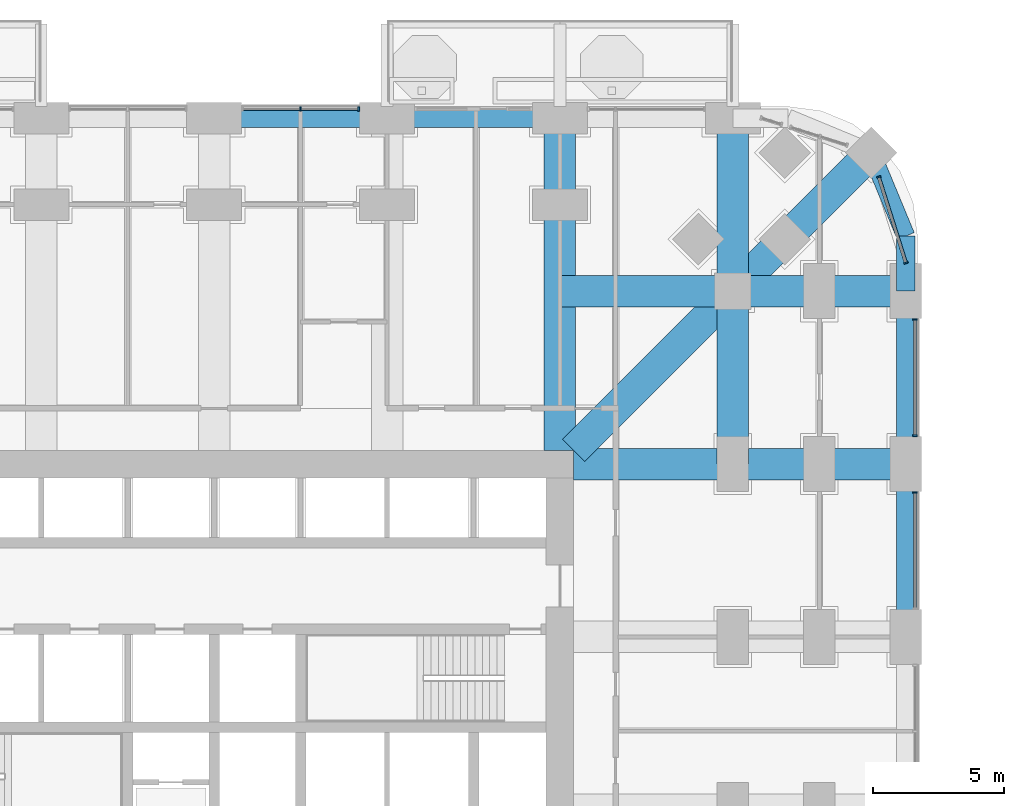
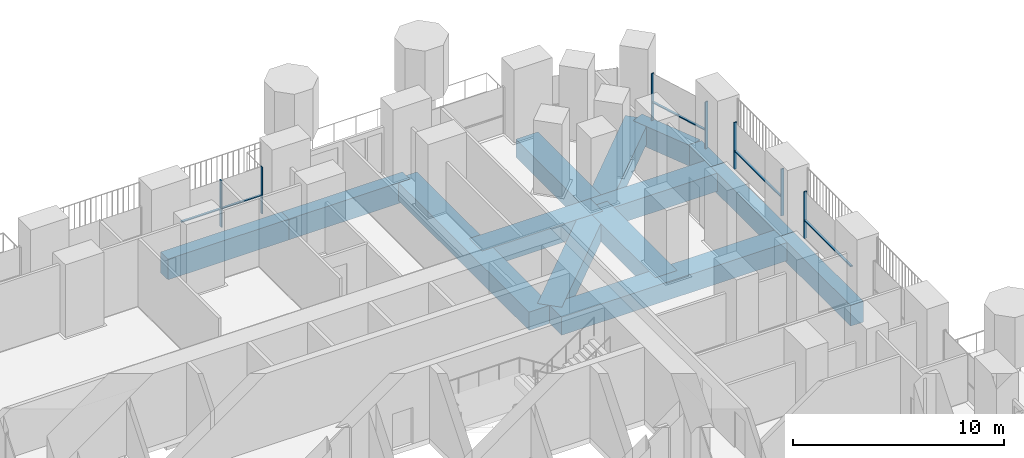
# One storey, part 9 of 27: 14 beams, 12 members, 4 elements without a shape of their own.
"""IFC4 building model written with IfcOpenShell, lengths in metres."""

from ifc_helpers import new_model, si_unit, direction, frame, origin, origin_2d, place, context, subcontext, project, spatial, rectangle, extrude, material, material_profile, profile_set, type_object, element, aggregate, save


model = new_model("IFC4")

# Units and contexts
model_context = context("Model", 3, precision=1e-05, world=origin(), true_north=direction((0.0, 1.0)))
body_context = subcontext(model_context, "Body", "Model", "MODEL_VIEW")
ifc_project = project(units=[si_unit("LENGTHUNIT", "METRE"), si_unit("AREAUNIT", "SQUARE_METRE"), si_unit("VOLUMEUNIT", "CUBIC_METRE"), si_unit("PLANEANGLEUNIT", "RADIAN"), si_unit("MASSUNIT", "GRAM", prefix="KILO")], contexts=[model_context])

# Site, building, storey
site_placement = place(None, origin())
site = spatial("IfcSite", under=ifc_project, at=site_placement, CompositionType="ELEMENT")
building_placement = place(site_placement, origin())
building = spatial("IfcBuilding", under=site, at=building_placement, Name="Cobogo Forest Laboratory Tower", CompositionType="ELEMENT")
storey_placement = place(building_placement, frame((0.0, 0.0, 38.10009765625)))
storey = spatial("IfcBuildingStorey", under=building, at=storey_placement, Name="L08", CompositionType="ELEMENT", Elevation=38.10009765625)

# Beams
ifc_material_1 = material(Name="Concrete HA-40 (C40/50)", Category="concrete")
ifc_material_profile_1 = material_profile(ifc_material_1, rectangle(XDim=1.199951171875, YDim=1.050048828125, at=origin_2d()), Name="RC 1200x1050")
ifc_profile_set_1 = profile_set([ifc_material_profile_1], Name="Concrete HA-40 (C40/50)")
beam_type_1 = type_object("IfcBeamType", Name="Laboratory floor wide beam 1200x1050", PredefinedType="BEAM", material=ifc_profile_set_1)
for number, where, z_axis, x_axis, name in (
    (1, (39.60009765625, 33.52490234375, -0.8251953125), (0.0, 1.0, 0.0), (-1.0, 0.0, 0.0), "RB1 R-7-N L08"),
    (2, (40.125, 33.0, -0.8251953125), (1.0, 0.0, 0.0), (0.0, 1.0, 0.0), "RB1 R-F-E L08"),
):
    element("IfcBeam", number, at=place(storey_placement, frame(where, z_axis=z_axis, x_axis=x_axis)), inside=storey, type_object=beam_type_1, Name=name, PredefinedType="BEAM", context=body_context, shape_type="SweptSolid", body=[
        extrude(rectangle(XDim=1.199951171875, YDim=1.050048828125, at=origin_2d()), origin(), (0.0, 0.0, 1.0), 12.675048828125),
    ])
beam_1_placement = place(storey_placement, frame((46.199951171875, 46.199951171875, -0.8251953125), z_axis=(0.0, -1.0, 0.0), x_axis=(1.0, 0.0, 0.0)))
element("IfcBeam", 3, at=beam_1_placement, inside=storey, type_object=beam_type_1, Name="RB1 G-NE-XF L08", PredefinedType="BEAM", context=body_context, shape_type="SweptSolid", body=[
    extrude(rectangle(XDim=1.199951171875, YDim=1.050048828125, at=origin_2d()), origin(), (0.0, 0.0, 1.0), 6.599853515625),
])
for number, where, z_axis, x_axis, name in (
    (4, (46.199951171875, 39.60009765625, -0.8251953125), (0.0, -1.0, 0.0), (1.0, 0.0, 0.0), "RB1 G-NE-XC L08"),
    (5, (52.800048828125, 39.60009765625, -0.8251953125), (-1.0, 0.0, 0.0), (0.0, -1.0, 0.0), "RB1 G-NE-YF L08"),
):
    element("IfcBeam", number, at=place(storey_placement, frame(where, z_axis=z_axis, x_axis=x_axis)), inside=storey, type_object=beam_type_1, Name=name, PredefinedType="BEAM", context=body_context, shape_type="SweptSolid", body=[
        extrude(rectangle(XDim=1.199951171875, YDim=1.050048828125, at=origin_2d()), origin(), (0.0, 0.0, 1.0), 6.60009765625),
    ])
beam_2_placement = place(storey_placement, frame((46.199951171875, 39.60009765625, -0.8251953125), z_axis=(-1.0, 0.0, 0.0), x_axis=(0.0, -1.0, 0.0)))
element("IfcBeam", 6, at=beam_2_placement, inside=storey, type_object=beam_type_1, Name="RB1 G-NE-YC L08", PredefinedType="BEAM", context=body_context, shape_type="SweptSolid", body=[
    extrude(rectangle(XDim=1.199951171875, YDim=1.050048828125, at=origin_2d()), origin(), (0.0, 0.0, 1.0), 6.599853515625),
])
beam_3_placement = place(storey_placement, frame((51.48193359375, 44.882080078125, -0.8251953125), z_axis=(-0.707106781187, -0.707106781187, 0.0), x_axis=(0.707106781187, -0.707106781187, 0.0)))
element("IfcBeam", 7, at=beam_3_placement, inside=storey, type_object=beam_type_1, Name="RB1 G-NE-D1 L08", PredefinedType="BEAM", context=body_context, shape_type="SweptSolid", body=[
    extrude(rectangle(XDim=1.199951171875, YDim=1.050048828125, at=origin_2d()), origin(), (0.0, 0.0, 1.0), 7.469970703125),
])
beam_4_placement = place(storey_placement, frame((46.199951171875, 39.60009765625, -0.8251953125), z_axis=(-0.707092572697, -0.70712098939, 0.0), x_axis=(0.70712098939, -0.707092572697, 0.0)))
element("IfcBeam", 8, at=beam_4_placement, inside=storey, type_object=beam_type_1, Name="RB1 G-NE-D2 L08", PredefinedType="BEAM", context=body_context, shape_type="SweptSolid", body=[
    extrude(rectangle(XDim=1.199951171875, YDim=1.050048828125, at=origin_2d()), origin(), (0.0, 0.0, 1.0), 8.591552734375),
])

# Curtain wall, member
ifc_material_2 = material(Name="Aluminium curtain wall", Category="aluminium")
curtain_wall_type = type_object("IfcCurtainWallType", Name="CW-1 unitised curtain wall, clear glazing, laboratory floors zones A and B", PredefinedType="USERDEFINED", material=ifc_material_2)
curtain_wall_1_placement = place(storey_placement, origin())
curtain_wall_1 = element("IfcCurtainWall", 9, at=curtain_wall_1_placement, inside=storey, type_object=curtain_wall_type, Name="Curtain wall 13 L08", ObjectType="UNITISED CURTAIN WALL", PredefinedType="USERDEFINED")
ifc_material_3 = material(Name="Aluminium mullion", Category="aluminium")
ifc_material_profile_2 = material_profile(ifc_material_3, rectangle(XDim=0.06005859375, YDim=0.159912109375, at=origin_2d()), Name="AL 60x160")
ifc_profile_set_2 = profile_set([ifc_material_profile_2], Name="Aluminium mullion")
member_type_1 = type_object("IfcMemberType", Name="MU-1 aluminium mullion 60x160", PredefinedType="MULLION", material=ifc_profile_set_2)
member_1_placement = place(storey_placement, frame((53.14990234375, 31.919921875, 0.0), z_axis=(0.0, 0.0, 1.0), x_axis=(0.0, 1.0, 0.0)))
member_1 = element("IfcMember", 10, at=member_1_placement, type_object=member_type_1, Name="CW-1 mullion 2", PredefinedType="MULLION", context=body_context, shape_type="SweptSolid", body=[
    extrude(rectangle(XDim=0.06005859375, YDim=0.159912109375, at=origin_2d()), origin(), (0.0, 0.0, 1.0), 2.699951171875),
])

# Curtain wall, members
curtain_wall_2_placement = place(storey_placement, origin())
curtain_wall_2 = element("IfcCurtainWall", 11, at=curtain_wall_2_placement, inside=storey, type_object=curtain_wall_type, Name="Curtain wall 14 L08", ObjectType="UNITISED CURTAIN WALL", PredefinedType="USERDEFINED")
member_2_placement = place(storey_placement, frame((53.14990234375, 34.080078125, 0.0), z_axis=(0.0, 0.0, 1.0), x_axis=(0.0, 1.0, 0.0)))
member_2 = element("IfcMember", 12, at=member_2_placement, type_object=member_type_1, Name="CW-1 mullion 1", PredefinedType="MULLION", context=body_context, shape_type="SweptSolid", body=[
    extrude(rectangle(XDim=0.06005859375, YDim=0.159912109375, at=origin_2d()), origin(), (0.0, 0.0, 1.0), 2.699951171875),
])
member_3_placement = place(storey_placement, frame((53.14990234375, 38.52001953125, 0.0), z_axis=(0.0, 0.0, 1.0), x_axis=(0.0, 1.0, 0.0)))
member_3 = element("IfcMember", 13, at=member_3_placement, type_object=member_type_1, Name="CW-1 mullion 2", PredefinedType="MULLION", context=body_context, shape_type="SweptSolid", body=[
    extrude(rectangle(XDim=0.06005859375, YDim=0.159912109375, at=origin_2d()), origin(), (0.0, 0.0, 1.0), 2.699951171875),
])

curtain_wall_3_placement = place(storey_placement, origin())
curtain_wall_3 = element("IfcCurtainWall", 14, at=curtain_wall_3_placement, inside=storey, type_object=curtain_wall_type, Name="Curtain wall 15 L08", ObjectType="UNITISED CURTAIN WALL", PredefinedType="USERDEFINED")
member_4_placement = place(storey_placement, frame((52.809326171875, 40.6787109375, 0.0), z_axis=(0.0, 0.0, 1.0), x_axis=(-0.30113535792, 0.95358140513, 0.0)))
member_4 = element("IfcMember", 15, at=member_4_placement, type_object=member_type_1, Name="CW-1 mullion 1", PredefinedType="MULLION", context=body_context, shape_type="SweptSolid", body=[
    extrude(rectangle(XDim=0.06005859375, YDim=0.159912109375, at=origin_2d()), origin(), (0.0, 0.0, 1.0), 2.699951171875),
])
member_5_placement = place(storey_placement, frame((51.772705078125, 43.961181640625, 0.0), z_axis=(0.0, 0.0, 1.0), x_axis=(-0.30113535792, 0.95358140513, 0.0)))
member_5 = element("IfcMember", 16, at=member_5_placement, type_object=member_type_1, Name="CW-1 mullion 2", PredefinedType="MULLION", context=body_context, shape_type="SweptSolid", body=[
    extrude(rectangle(XDim=0.06005859375, YDim=0.159912109375, at=origin_2d()), origin(), (0.0, 0.0, 1.0), 2.699951171875),
])

curtain_wall_4_placement = place(storey_placement, origin())
curtain_wall_4 = element("IfcCurtainWall", 17, at=curtain_wall_4_placement, inside=storey, type_object=curtain_wall_type, Name="Curtain wall 20 L08", ObjectType="UNITISED CURTAIN WALL", PredefinedType="USERDEFINED")
member_6_placement = place(storey_placement, frame((31.919921875, 46.550048828125, 0.0), z_axis=(0.0, 0.0, 1.0), x_axis=(-1.0, 0.0, 0.0)))
member_6 = element("IfcMember", 18, at=member_6_placement, type_object=member_type_1, Name="CW-1 mullion 1", PredefinedType="MULLION", context=body_context, shape_type="SweptSolid", body=[
    extrude(rectangle(XDim=0.06005859375, YDim=0.159912109375, at=origin_2d()), origin(), (0.0, 0.0, 1.0), 2.699951171875),
])
member_7_placement = place(storey_placement, frame((29.699951171875, 46.550048828125, 0.0), z_axis=(0.0, 0.0, 1.0), x_axis=(-1.0, 0.0, 0.0)))
member_7 = element("IfcMember", 19, at=member_7_placement, type_object=member_type_1, Name="CW-1 mullion 2", PredefinedType="MULLION", context=body_context, shape_type="SweptSolid", body=[
    extrude(rectangle(XDim=0.06005859375, YDim=0.159912109375, at=origin_2d()), origin(), (0.0, 0.0, 1.0), 2.699951171875),
])

# Beams
ifc_material_profile_3 = material_profile(ifc_material_1, rectangle(XDim=0.699951171875, YDim=1.199951171875, at=origin_2d()), Name="RC 700x1200")
ifc_profile_set_3 = profile_set([ifc_material_profile_3], Name="Concrete HA-40 (C40/50)")
beam_type_2 = type_object("IfcBeamType", Name="Perimeter edge beam 700x1200", PredefinedType="BEAM", material=ifc_profile_set_3)
for number, where, z_axis, x_axis, name in (
    (20, (52.800048828125, 26.39990234375, -0.900146484375), (0.0, 1.0, 0.0), (-1.0, 0.0, 0.0), "EB1 E-E4 L08"),
    (21, (52.800048828125, 33.0, -0.900146484375), (0.0, 1.0, 0.0), (-1.0, 0.0, 0.0), "EB1 E-E5 L08"),
    (22, (26.39990234375, 46.199951171875, -0.900146484375), (1.0, 0.0, 0.0), (0.0, 1.0, 0.0), "EB1 E-N4 L08"),
    (23, (33.0, 46.199951171875, -0.900146484375), (1.0, 0.0, 0.0), (0.0, 1.0, 0.0), "EB1 E-N5 L08"),
):
    element("IfcBeam", number, at=place(storey_placement, frame(where, z_axis=z_axis, x_axis=x_axis)), inside=storey, type_object=beam_type_2, Name=name, PredefinedType="BEAM", context=body_context, shape_type="SweptSolid", body=[
        extrude(rectangle(XDim=0.699951171875, YDim=1.199951171875, at=origin_2d()), origin(), (0.0, 0.0, 1.0), 6.60009765625),
    ])
beam_5_placement = place(storey_placement, frame((52.800048828125, 39.60009765625, -0.900146484375), z_axis=(0.0, 1.0, 0.0), x_axis=(-1.0, 0.0, 0.0)))
element("IfcBeam", 24, at=beam_5_placement, inside=storey, type_object=beam_type_2, Name="EB1 E-NEE1 L08", PredefinedType="BEAM", context=body_context, shape_type="SweptSolid", body=[
    extrude(rectangle(XDim=0.699951171875, YDim=1.199951171875, at=origin_2d()), origin(), (0.0, 0.0, 1.0), 2.099853515625),
])
beam_6_placement = place(storey_placement, frame((52.800048828125, 41.699951171875, -0.900146484375), z_axis=(-0.382691928466, 0.923876013265, 0.0), x_axis=(-0.923876013265, -0.382691928466, 0.0)))
element("IfcBeam", 25, at=beam_6_placement, inside=storey, type_object=beam_type_2, Name="EB1 E-NEE2 L08", PredefinedType="BEAM", context=body_context, shape_type="SweptSolid", body=[
    extrude(rectangle(XDim=0.699951171875, YDim=1.199951171875, at=origin_2d()), origin(), (0.0, 0.0, 1.0), 3.4443359375),
])

# Member
ifc_material_4 = material(Name="Aluminium transom", Category="aluminium")
ifc_material_profile_4 = material_profile(ifc_material_4, rectangle(XDim=0.1201171875, YDim=0.06005859375, at=origin_2d()), Name="AL 60x120")
ifc_profile_set_4 = profile_set([ifc_material_profile_4], Name="Aluminium transom")
member_type_2 = type_object("IfcMemberType", Name="TR-1 aluminium transom 60x120", PredefinedType="USERDEFINED", material=ifc_profile_set_4)
member_8_placement = place(storey_placement, frame((53.14990234375, 27.510009765625, 1.0498046875), z_axis=(0.0, 1.0, 0.0), x_axis=(-1.0, 0.0, 0.0)))
member_8 = element("IfcMember", 26, at=member_8_placement, type_object=member_type_2, Name="CW-1 transom 1.1", ObjectType="TRANSOM", PredefinedType="USERDEFINED", context=body_context, shape_type="SweptSolid", body=[
    extrude(rectangle(XDim=0.1201171875, YDim=0.06005859375, at=origin_2d()), origin(), (0.0, 0.0, 1.0), 4.3798828125),
])

aggregate(curtain_wall_1, [member_1, member_8])

member_9_placement = place(storey_placement, frame((53.14990234375, 34.110107421875, 1.0498046875), z_axis=(0.0, 1.0, 0.0), x_axis=(-1.0, 0.0, 0.0)))
member_9 = element("IfcMember", 27, at=member_9_placement, type_object=member_type_2, Name="CW-1 transom 1.1", ObjectType="TRANSOM", PredefinedType="USERDEFINED", context=body_context, shape_type="SweptSolid", body=[
    extrude(rectangle(XDim=0.1201171875, YDim=0.06005859375, at=origin_2d()), origin(), (0.0, 0.0, 1.0), 4.3798828125),
])

aggregate(curtain_wall_2, [member_2, member_3, member_9])

member_10_placement = place(storey_placement, frame((52.80029296875, 40.707275390625, 1.0498046875), z_axis=(-0.301138276922, 0.953580483322, 0.0), x_axis=(-0.953580483322, -0.301138276922, 0.0)))
member_10 = element("IfcMember", 28, at=member_10_placement, type_object=member_type_2, Name="CW-1 transom 1.1", ObjectType="TRANSOM", PredefinedType="USERDEFINED", context=body_context, shape_type="SweptSolid", body=[
    extrude(rectangle(XDim=0.1201171875, YDim=0.06005859375, at=origin_2d()), origin(), (0.0, 0.0, 1.0), 3.38232421875),
])

aggregate(curtain_wall_3, [member_4, member_5, member_10])

member_11_placement = place(storey_placement, frame((31.889892578125, 46.550048828125, 1.0498046875), z_axis=(-1.0, 0.0, 0.0), x_axis=(0.0, -1.0, 0.0)))
member_11 = element("IfcMember", 29, at=member_11_placement, type_object=member_type_2, Name="CW-1 transom 1.1", ObjectType="TRANSOM", PredefinedType="USERDEFINED", context=body_context, shape_type="SweptSolid", body=[
    extrude(rectangle(XDim=0.1201171875, YDim=0.06005859375, at=origin_2d()), origin(), (0.0, 0.0, 1.0), 2.159912109375),
])

member_12_placement = place(storey_placement, frame((29.669921875, 46.550048828125, 1.0498046875), z_axis=(-1.0, 0.0, 0.0), x_axis=(0.0, -1.0, 0.0)))
member_12 = element("IfcMember", 30, at=member_12_placement, type_object=member_type_2, Name="CW-1 transom 2.1", ObjectType="TRANSOM", PredefinedType="USERDEFINED", context=body_context, shape_type="SweptSolid", body=[
    extrude(rectangle(XDim=0.1201171875, YDim=0.06005859375, at=origin_2d()), origin(), (0.0, 0.0, 1.0), 2.159912109375),
])

aggregate(curtain_wall_4, [member_6, member_7, member_11, member_12])

save(model, "model.ifc")
